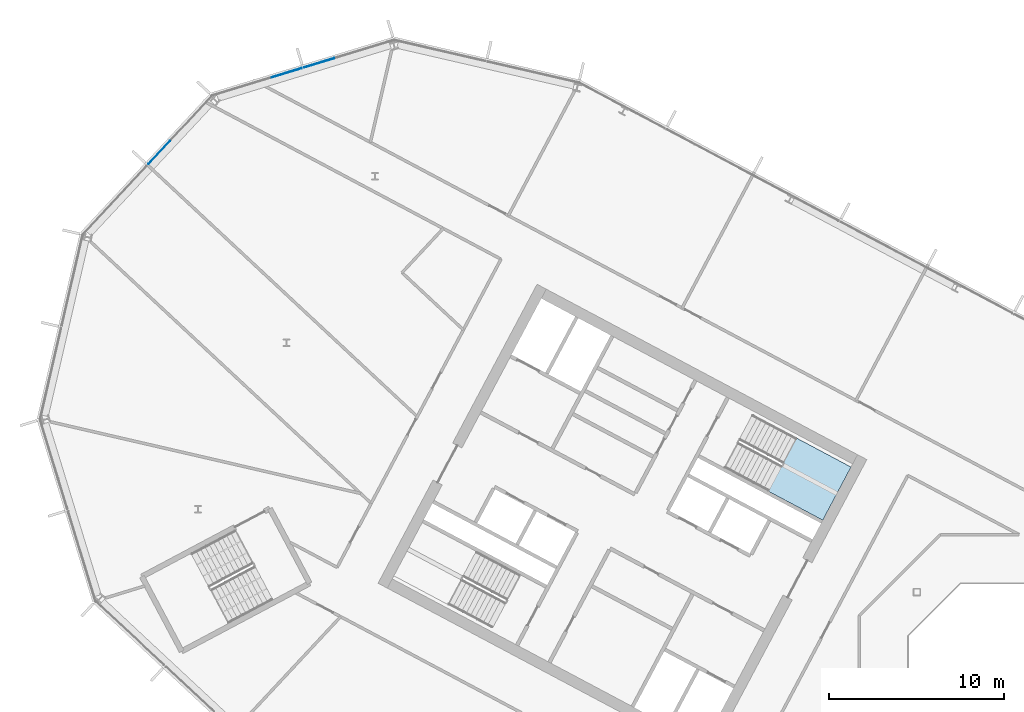
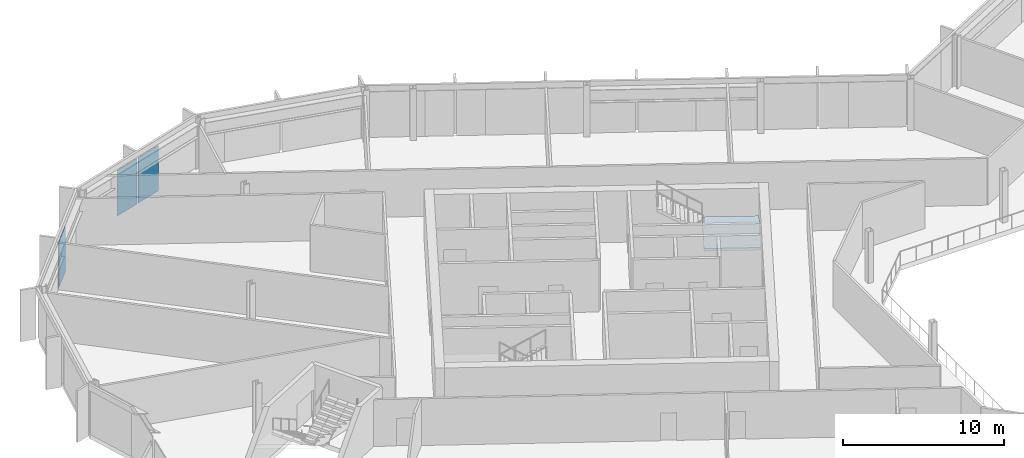
# One storey, part 11 of 27: 3 plates, 1 slab, 3 elements without a shape of their own.
"""IFC4 building model written with IfcOpenShell, lengths in metres."""

from ifc_helpers import new_model, si_unit, direction, frame, origin, origin_2d, place, context, subcontext, project, spatial, polyline, rectangle, outline, extrude, material, layer, layer_set, type_object, element, aggregate, save


model = new_model("IFC4")

# Units and contexts
model_context = context("Model", 3, precision=1e-05, world=origin(), true_north=direction((0.0, 1.0)))
body_context = subcontext(model_context, "Body", "Model", "MODEL_VIEW")
ifc_project = project(units=[si_unit("LENGTHUNIT", "METRE"), si_unit("AREAUNIT", "SQUARE_METRE"), si_unit("VOLUMEUNIT", "CUBIC_METRE"), si_unit("PLANEANGLEUNIT", "RADIAN"), si_unit("MASSUNIT", "GRAM", prefix="KILO")], contexts=[model_context])

# Site, building, storey
site_placement = place(None, origin())
site = spatial("IfcSite", under=ifc_project, at=site_placement, CompositionType="ELEMENT")
building_placement = place(site_placement, origin())
building = spatial("IfcBuilding", under=site, at=building_placement, Name="Cormorant Relay Tower", CompositionType="ELEMENT")
storey_placement = place(building_placement, frame((0.0, 0.0, 201.300048828125)))
storey = spatial("IfcBuildingStorey", under=building, at=storey_placement, Name="L43", CompositionType="ELEMENT", Elevation=201.300048828125)

# Curtain wall, plates
ifc_material_1 = material(Name="Aluminium 6063-T6 anodised bronze", Category="aluminium")
ifc_layer_1 = layer(ifc_material_1, 0.199951171875)
ifc_layer_set_1 = layer_set([ifc_layer_1], Name="CW1 unitised bronze curtain wall with vertical fins")
curtain_wall_type = type_object("IfcCurtainWallType", Name="CW1 unitised bronze curtain wall with vertical fins", PredefinedType="NOTDEFINED", material=ifc_layer_set_1)
curtain_wall_1_placement = place(storey_placement, origin())
curtain_wall_1 = element("IfcCurtainWall", 1, at=curtain_wall_1_placement, inside=storey, type_object=curtain_wall_type, Name="CW1 curtain wall 11", PredefinedType="NOTDEFINED")
ifc_material_2 = material(Name="Tinted laminated glass", Category="glass")
ifc_layer_2 = layer(ifc_material_2, 0.0400390625)
ifc_layer_set_2 = layer_set([ifc_layer_2], Name="CW1 tinted vision panel 1800 module")
plate_type = type_object("IfcPlateType", Name="CW1 tinted vision panel 1800 module", PredefinedType="CURTAIN_PANEL", material=ifc_layer_set_2)
plate_1_placement = place(storey_placement, frame((-44.73681640625, 40.82861328125, 0.0), z_axis=(0.0, 0.0, 1.0), x_axis=(-0.956304755963, -0.292371704723, 0.0)))
plate_1 = element("IfcPlate", 2, at=plate_1_placement, type_object=plate_type, Name="CW1 panel V01", PredefinedType="CURTAIN_PANEL", context=body_context, shape_type="SweptSolid", body=[
    extrude(rectangle(XDim=1.800048828125, YDim=0.0400390625, at=origin_2d()), origin(), (0.0, 0.0, 1.0), 3.449951171875),
])
plate_2_placement = place(storey_placement, frame((-46.6015625, 40.25830078125, 0.0), z_axis=(0.0, 0.0, 1.0), x_axis=(-0.956304755963, -0.292371704723, 0.0)))
plate_2 = element("IfcPlate", 3, at=plate_2_placement, type_object=plate_type, Name="CW1 panel V02", PredefinedType="CURTAIN_PANEL", context=body_context, shape_type="SweptSolid", body=[
    extrude(rectangle(XDim=1.800048828125, YDim=0.0400390625, at=origin_2d()), origin(), (0.0, 0.0, 1.0), 3.449951171875),
])
aggregate(curtain_wall_1, [plate_1, plate_2])

# Curtain wall, plate
curtain_wall_2_placement = place(storey_placement, origin())
curtain_wall_2 = element("IfcCurtainWall", 4, at=curtain_wall_2_placement, inside=storey, type_object=curtain_wall_type, Name="CW1 curtain wall 12", PredefinedType="NOTDEFINED")
plate_3_placement = place(storey_placement, frame((-53.91748046875, 35.68701171875, 0.0), z_axis=(0.0, 0.0, 1.0), x_axis=(-0.681998360062, -0.731353701619, 0.0)))
plate_3 = element("IfcPlate", 5, at=plate_3_placement, type_object=plate_type, Name="CW1 panel V01", PredefinedType="CURTAIN_PANEL", context=body_context, shape_type="SweptSolid", body=[
    extrude(rectangle(XDim=1.800048828125, YDim=0.0400390625, at=origin_2d()), origin(), (0.0, 0.0, 1.0), 3.449951171875),
])
aggregate(curtain_wall_2, [plate_3])

# Stair, slab
ifc_material_3 = material(Name="Concrete 40 MPa", Category="concrete")
stair_type = type_object("IfcStairType", Name="Exit stair 1500", PredefinedType="HALF_TURN_STAIR", material=ifc_material_3)
stair_placement = place(storey_placement, origin())
stair = element("IfcStair", 6, at=stair_placement, inside=storey, type_object=stair_type, Name="L43 Stair", PredefinedType="HALF_TURN_STAIR")
ifc_material_4 = material(Name="Concrete 40 MPa", Category="concrete")
ifc_layer_3 = layer(ifc_material_4, 0.199951171875)
ifc_layer_set_3 = layer_set([ifc_layer_3], Name="Exit stair landing 200")
slab_type = type_object("IfcSlabType", Name="Exit stair landing 200", PredefinedType="LANDING", material=ifc_layer_set_3)
slab_placement = place(storey_placement, frame((0.0, 0.0, 1.75)))
slab = element("IfcSlab", 7, at=slab_placement, type_object=slab_type, Name="A1 landing 1", PredefinedType="LANDING", context=body_context, shape_type="SweptSolid", body=[
    extrude(outline(polyline([(-19.029541015625, 16.29052734375), (-15.89501953125, 14.6240234375), (-14.275390625, 17.670166015625), (-17.40966796875, 19.3369140625), (-19.029541015625, 16.29052734375)])), origin(), (0.0, 0.0, 1.0), 0.199951171875),
])
aggregate(stair, [slab])

save(model, "model.ifc")
